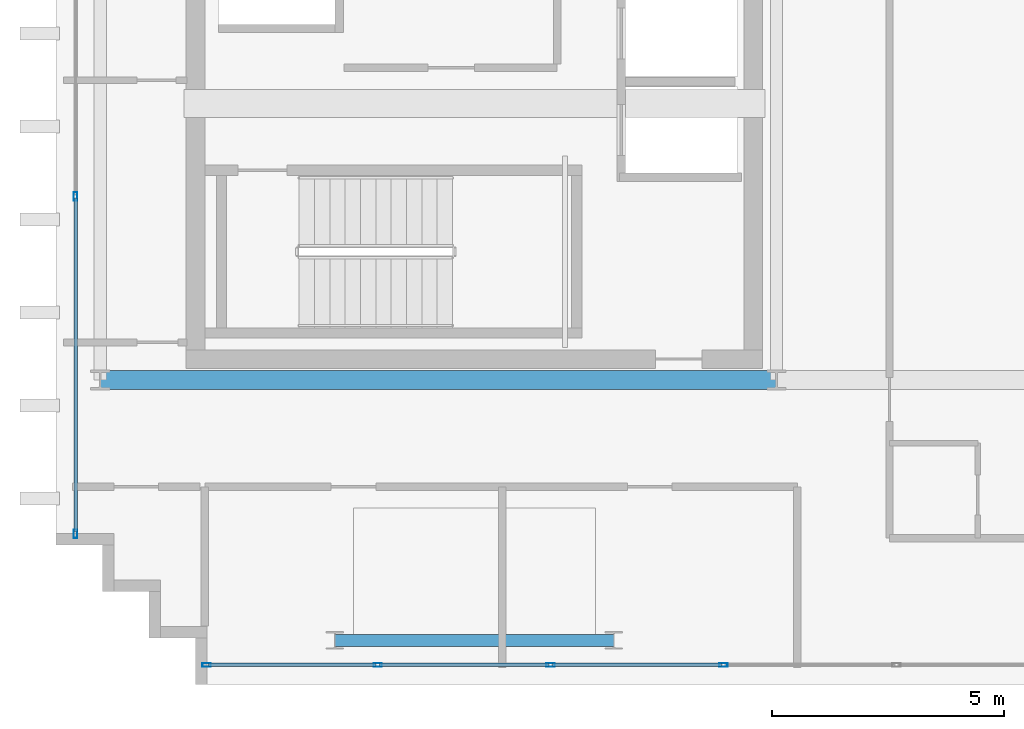
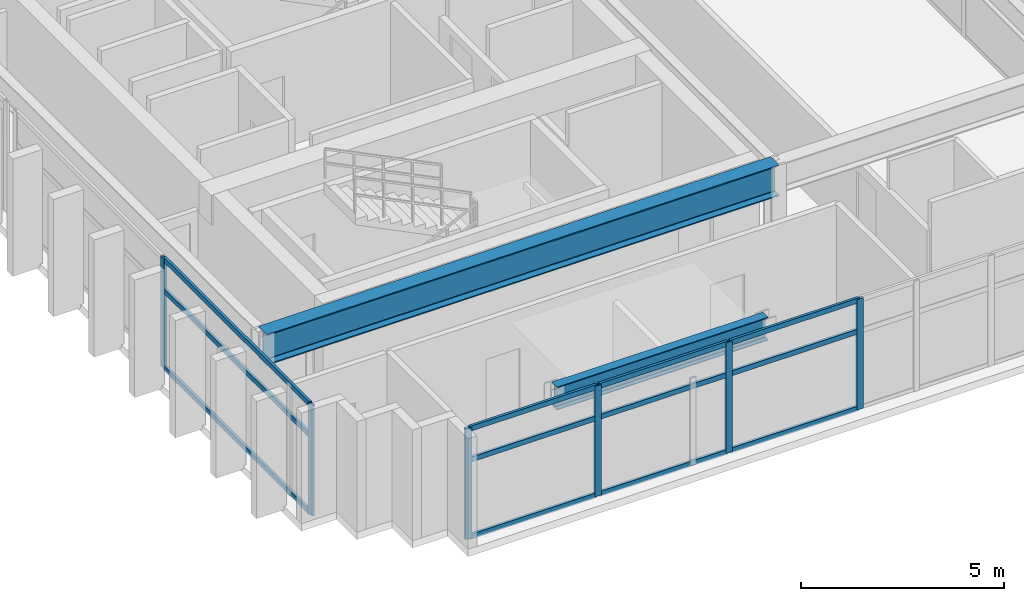
# One storey, part 2 of 15: 18 members, 2 beams, 2 elements without a shape of their own.
"""IFC4 building model written with IfcOpenShell, lengths in metres."""

import ifcopenshell
import ifcopenshell.guid

model = None  # the IFC model being written
_history = None  # IfcOwnerHistory: only IFC2X3 demands one
_inside = {}  # id of a spatial element -> (the spatial element, [elements in it])
_under = {}  # id of a project, library or spatial element -> (it, [spatial elements below it])
_declared = {}  # id of a project -> (the project, [libraries it declares])
_typed = {}  # id of a type object -> (the type object, [elements of that type])
_made_of = {}  # id of a material, layer set ... -> (it, [elements and type objects made of it])


def new_model(schema):
    """Start an empty IFC model of exactly this schema.

    Asked for "IFC4X3", IfcOpenShell would pick the latest addendum, in which some entities
    have other attributes; the version numbers below select the first issue.
    IFC2X3 requires an IfcOwnerHistory on every rooted entity: one is made here for all.
    """
    global model, _history
    if schema == "IFC4X3":
        model = ifcopenshell.file(schema_version=(4, 3, 0, 0))
    else:
        model = ifcopenshell.file(schema=schema)
    _inside.clear()
    _under.clear()
    _declared.clear()
    _typed.clear()
    _made_of.clear()
    _history = None
    if model.schema == "IFC2X3":
        org = make("IfcOrganization", Name="unknown")
        user = make(
            "IfcPersonAndOrganization",
            ThePerson=make("IfcPerson", FamilyName="unknown"),
            TheOrganization=org,
        )
        app = make(
            "IfcApplication",
            ApplicationDeveloper=org,
            Version="unknown",
            ApplicationFullName="unknown",
            ApplicationIdentifier="unknown",
        )
        _history = make(
            "IfcOwnerHistory",
            OwningUser=user,
            OwningApplication=app,
            ChangeAction="ADDED",
            CreationDate=0,
        )
    return model


def make(cls, **values):
    """One entity of the class cls with the attributes given. An attribute that is None is left unset."""
    return model.create_entity(
        cls, **{name: value for name, value in values.items() if value is not None}
    )


def rooted(cls, **values):
    """An entity with a GlobalId (a new one), such as an element, a storey or a relation."""
    return make(cls, GlobalId=ifcopenshell.guid.new(), OwnerHistory=_history, **values)


def si_unit(unit_type, name, prefix=None):
    """IfcSIUnit, for example si_unit("LENGTHUNIT", "METRE", prefix="MILLI")."""
    return make("IfcSIUnit", UnitType=unit_type, Prefix=prefix, Name=name)


def assignment(units):
    """IfcUnitAssignment: the units of a project."""
    return None if units is None else make("IfcUnitAssignment", Units=units)


def point(xyz):
    """IfcCartesianPoint."""
    return None if xyz is None else make("IfcCartesianPoint", Coordinates=xyz)


def direction(xyz):
    """IfcDirection."""
    return None if xyz is None else make("IfcDirection", DirectionRatios=xyz)


def frame(location, z_axis=None, x_axis=None):
    """IfcAxis2Placement3D, a coordinate frame: its origin and axes. An axis left out is left unset."""
    return make(
        "IfcAxis2Placement3D",
        Location=point(location),
        Axis=direction(z_axis),
        RefDirection=direction(x_axis),
    )


def frame_2d(location, x_axis=None):
    """IfcAxis2Placement2D, a coordinate frame in the plane: its origin and x axis."""
    return make(
        "IfcAxis2Placement2D", Location=point(location), RefDirection=direction(x_axis)
    )


def origin():
    """The frame at (0, 0, 0) with its axes left unset."""
    return frame((0.0, 0.0, 0.0))


def origin_2d():
    """The frame at (0, 0) in the plane with its x axis left unset."""
    return frame_2d((0.0, 0.0))


def place(relative_to, where):
    """IfcLocalPlacement: puts the frame where relative to a parent placement (None: the world)."""
    return make(
        "IfcLocalPlacement", PlacementRelTo=relative_to, RelativePlacement=where
    )


def context(
    kind, dimensions, precision=None, world=None, true_north=None, identifier=None
):
    """IfcGeometricRepresentationContext, for example the 3D "Model" context."""
    return make(
        "IfcGeometricRepresentationContext",
        ContextIdentifier=identifier,
        ContextType=kind,
        CoordinateSpaceDimension=dimensions,
        Precision=precision,
        WorldCoordinateSystem=world,
        TrueNorth=true_north,
    )


def subcontext(parent, identifier, kind, view, scale=None):
    """IfcGeometricRepresentationSubContext, for example "Body" below "Model"."""
    return make(
        "IfcGeometricRepresentationSubContext",
        ContextIdentifier=identifier,
        ContextType=kind,
        ParentContext=parent,
        TargetScale=scale,
        TargetView=view,
    )


def project(units=None, contexts=None):
    """IfcProject with its units and contexts."""
    return rooted(
        "IfcProject",
        Name="project",
        RepresentationContexts=contexts,
        UnitsInContext=assignment(units),
    )


def spatial(cls, under=None, at=None, **own):
    """A site, building, storey or space (cls), placed at a placement, below another one or the project."""
    s = rooted(cls, ObjectPlacement=at, **own)
    if under is not None:
        _under.setdefault(under.id(), (under, []))[1].append(s)
    return s


def profile(cls, at=None, kind="AREA", **sizes):
    """A parametric profile (cls). Its sizes go by their IFC names, for example OverallWidth=200.0."""
    return make(cls, ProfileType=kind, Position=at, **sizes)


def hollow_rectangle(**sizes):
    """IfcRectangleHollowProfileDef."""
    return profile("IfcRectangleHollowProfileDef", **sizes)


def i_section(**sizes):
    """IfcIShapeProfileDef."""
    return profile("IfcIShapeProfileDef", **sizes)


def extrude(swept, where, along, depth):
    """IfcExtrudedAreaSolid: the profile swept, set in the frame where, extruded along a direction by depth."""
    return make(
        "IfcExtrudedAreaSolid",
        SweptArea=swept,
        Position=where,
        ExtrudedDirection=direction(along),
        Depth=depth,
    )


def shape(context_of_items, identifier, shape_type, items):
    """IfcShapeRepresentation: the items that make up one representation, for example the "Body"."""
    return make(
        "IfcShapeRepresentation",
        ContextOfItems=context_of_items,
        RepresentationIdentifier=identifier,
        RepresentationType=shape_type,
        Items=items,
    )


def source(mapping_origin, context_of_items, identifier, shape_type, items):
    """IfcRepresentationMap: a shape defined once, which mapped items show again and again."""
    return make(
        "IfcRepresentationMap",
        MappingOrigin=mapping_origin,
        MappedRepresentation=shape(context_of_items, identifier, shape_type, items),
    )


def transform(
    local_origin,
    x_axis=None,
    y_axis=None,
    z_axis=None,
    scale=None,
    scale2=None,
    scale3=None,
    uniform=True,
):
    """IfcCartesianTransformationOperator3D, or its non-uniform kind. x_axis, y_axis, z_axis: its Axis1, 2, 3."""
    if uniform:
        return make(
            "IfcCartesianTransformationOperator3D",
            Axis1=direction(x_axis),
            Axis2=direction(y_axis),
            LocalOrigin=point(local_origin),
            Scale=scale,
            Axis3=direction(z_axis),
        )
    return make(
        "IfcCartesianTransformationOperator3DnonUniform",
        Axis1=direction(x_axis),
        Axis2=direction(y_axis),
        LocalOrigin=point(local_origin),
        Scale=scale,
        Axis3=direction(z_axis),
        Scale2=scale2,
        Scale3=scale3,
    )


def mapped(mapping_source, mapping_target):
    """IfcMappedItem: shows the shape of a source again, moved by a transform."""
    return make(
        "IfcMappedItem", MappingSource=mapping_source, MappingTarget=mapping_target
    )


def material(Name=None, Category=None):
    """IfcMaterial."""
    return make("IfcMaterial", Name=Name, Category=Category)


def layer(
    of_material, thickness, ventilated=None, Name=None, Category=None, Priority=None
):
    """IfcMaterialLayer: one layer of a wall or slab, of a material (None: an air gap)."""
    return make(
        "IfcMaterialLayer",
        Material=of_material,
        LayerThickness=thickness,
        IsVentilated=ventilated,
        Name=Name,
        Category=Category,
        Priority=Priority,
    )


def layer_set(layers, Name=None):
    """IfcMaterialLayerSet."""
    return make("IfcMaterialLayerSet", MaterialLayers=layers, LayerSetName=Name)


def material_profile(
    of_material, cross_section, Name=None, Category=None, Priority=None
):
    """IfcMaterialProfile: a cross section and its material."""
    return make(
        "IfcMaterialProfile",
        Name=Name,
        Material=of_material,
        Profile=cross_section,
        Priority=Priority,
        Category=Category,
    )


def profile_set(profiles, Name=None, composite=None):
    """IfcMaterialProfileSet."""
    return make(
        "IfcMaterialProfileSet",
        Name=Name,
        MaterialProfiles=profiles,
        CompositeProfile=composite,
    )


def made_of(thing, what):
    """Note that an element or type object is made of a material, layer set ...; save() writes the relation."""
    if what is not None:
        _made_of.setdefault(what.id(), (what, []))[1].append(thing)
    return thing


def type_object(cls, material=None, **own):
    """A type object (cls), such as IfcWallType, which elements share."""
    return made_of(rooted(cls, **own), material)


def element(
    cls,
    number,
    at=None,
    inside=None,
    cuts=None,
    type_object=None,
    material=None,
    context=None,
    identifier="Body",
    shape_type=None,
    held_by="IfcProductDefinitionShape",
    body=None,
    shapes=None,
    **own,
):
    """One element of the class cls, such as IfcWall. Its Tag is "e" and its number.

    at: its placement. inside: the storey or other place that contains it. cuts: it is an
    opening in that element (IfcRelVoidsElement). A single representation is given by context,
    identifier, shape_type and body (its items); several are given by shapes. held_by: the class
    of the entity that holds the representations. save() writes the other relations.
    """
    e = rooted(cls, Tag="e%d" % number, ObjectPlacement=at, **own)
    if body is not None:
        shapes = [shape(context, identifier, shape_type, body)]
    if shapes is not None:
        e.Representation = make(held_by, Representations=shapes)
    if inside is not None:
        _inside.setdefault(inside.id(), (inside, []))[1].append(e)
    if cuts is not None:
        rooted(
            "IfcRelVoidsElement", RelatingBuildingElement=cuts, RelatedOpeningElement=e
        )
    if type_object is not None:
        _typed.setdefault(type_object.id(), (type_object, []))[1].append(e)
    return made_of(e, material)


def aggregate(whole, parts):
    """IfcRelAggregates: a whole, such as a stair, and the parts it consists of."""
    return rooted("IfcRelAggregates", RelatingObject=whole, RelatedObjects=parts)


def save(model, path):
    """Write the relations noted so far, then the file.

    IfcRelAggregates (storeys below a building ...), IfcRelContainedInSpatialStructure (elements
    in a storey), IfcRelDefinesByType, IfcRelAssociatesMaterial and IfcRelDeclares: one each for
    every whole, place, type object, material and project.
    """
    for whole, parts in _under.values():
        aggregate(whole, parts)
    for where, things in _inside.values():
        rooted(
            "IfcRelContainedInSpatialStructure",
            RelatedElements=things,
            RelatingStructure=where,
        )
    for kind, things in _typed.values():
        rooted("IfcRelDefinesByType", RelatedObjects=things, RelatingType=kind)
    for what, things in _made_of.values():
        rooted("IfcRelAssociatesMaterial", RelatedObjects=things, RelatingMaterial=what)
    for by, libraries in _declared.values():
        rooted("IfcRelDeclares", RelatingContext=by, RelatedDefinitions=libraries)
    model.write(path)


model = new_model("IFC4")

# Units and contexts
model_context = context("Model", 3, precision=1e-05, world=origin(), true_north=direction((0.0, 1.0)))
body_context = subcontext(model_context, "Body", "Model", "MODEL_VIEW")
ifc_project = project(units=[si_unit("LENGTHUNIT", "METRE"), si_unit("AREAUNIT", "SQUARE_METRE"), si_unit("VOLUMEUNIT", "CUBIC_METRE"), si_unit("PLANEANGLEUNIT", "RADIAN"), si_unit("MASSUNIT", "GRAM", prefix="KILO")], contexts=[model_context])

# Site, building, storey
site_placement = place(None, origin())
site = spatial("IfcSite", under=ifc_project, at=site_placement, CompositionType="ELEMENT")
building_placement = place(site_placement, origin())
building = spatial("IfcBuilding", under=site, at=building_placement, Name="Ocotamira Hotel", CompositionType="ELEMENT")
storey_placement = place(building_placement, frame((0.0, 0.0, 297.60009765625)))
storey = spatial("IfcBuildingStorey", under=building, at=storey_placement, Name="L76", CompositionType="ELEMENT", Elevation=297.60009765625)

# Beams
ifc_material_1 = material(Name="Steel ASTM A992 Grade 50", Category="steel")
ifc_material_profile_1 = material_profile(ifc_material_1, i_section(OverallWidth=0.41796875, OverallDepth=0.927001953125, WebThickness=0.019287109375, FlangeThickness=0.031982421875, FilletRadius=0.02392578125, at=origin_2d()), Name="W36X231")
ifc_profile_set_1 = profile_set([ifc_material_profile_1], Name="Steel ASTM A992 Grade 50")
beam_type_1 = type_object("IfcBeamType", Name="BM-GIRD-W36X231", PredefinedType="BEAM", material=ifc_profile_set_1)
shared_shape_1 = source(origin(), body_context, "Body", "SweptSolid", [
    extrude(i_section(OverallWidth=0.41796875, OverallDepth=0.927001953125, WebThickness=0.019287109375, FlangeThickness=0.031982421875, FilletRadius=0.02392578125, at=origin_2d()), origin(), (0.0, 0.0, 1.0), 14.550048828125),
])
beam_1_placement = place(storey_placement, frame((8.949951171875, 14.550048828125, 2.8564453125), z_axis=(1.0, 0.0, 0.0), x_axis=(0.0, 1.0, 0.0)))
element("IfcBeam", 1, at=beam_1_placement, inside=storey, type_object=beam_type_1, Name="L76 Girder Y14.55 X8.95-23.5", PredefinedType="BEAM", context=body_context, shape_type="MappedRepresentation", body=[
    mapped(shared_shape_1, transform((0.0, 0.0, 0.0), scale=1.0)),
])
ifc_material_profile_2 = material_profile(ifc_material_1, i_section(OverallWidth=0.256103515625, OverallDepth=0.693115234375, WebThickness=0.014404296875, FlangeThickness=0.023681640625, FilletRadius=0.01611328125, at=origin_2d()), Name="W27X114")
ifc_profile_set_2 = profile_set([ifc_material_profile_2], Name="Steel ASTM A992 Grade 50")
beam_type_2 = type_object("IfcBeamType", Name="BM-PRIM-W27X114", PredefinedType="BEAM", material=ifc_profile_set_2)
shared_shape_2 = source(origin(), body_context, "Body", "SweptSolid", [
    extrude(i_section(OverallWidth=0.256103515625, OverallDepth=0.693115234375, WebThickness=0.014404296875, FlangeThickness=0.023681640625, FilletRadius=0.01611328125, at=origin_2d()), origin(), (0.0, 0.0, 1.0), 6.0),
])
beam_2_placement = place(storey_placement, frame((14.0, 8.949951171875, 2.973388671875), z_axis=(1.0, 0.0, 0.0), x_axis=(0.0, 1.0, 0.0)))
element("IfcBeam", 2, at=beam_2_placement, inside=storey, type_object=beam_type_2, Name="L76 Girder Y8.95 X14-20", PredefinedType="BEAM", context=body_context, shape_type="MappedRepresentation", body=[
    mapped(shared_shape_2, transform((0.0, 0.0, 0.0), scale=1.0)),
])

# Curtain wall, members
ifc_material_2 = material(Name="Anodised pale-metal aluminium and solar glass", Category="aluminium")
ifc_layer = layer(ifc_material_2, 0.2099609375)
ifc_layer_set = layer_set([ifc_layer], Name="Anodised pale-metal aluminium and solar glass")
curtain_wall_type = type_object("IfcCurtainWallType", Name="CW-SYS7-PEAK", PredefinedType="NOTDEFINED", material=ifc_layer_set)
curtain_wall_1_placement = place(storey_placement, origin())
curtain_wall_1 = element("IfcCurtainWall", 3, at=curtain_wall_1_placement, inside=storey, type_object=curtain_wall_type, Name="L76 Curtain Wall CW-7 CW-L76-W1", PredefinedType="NOTDEFINED")
ifc_material_3 = material(Name="Anodised pale-metal aluminium 6063-T6", Category="aluminium")
ifc_material_profile_3 = material_profile(ifc_material_3, hollow_rectangle(XDim=0.074951171875, YDim=0.14990234375, WallThickness=0.006103515625, at=origin_2d()), Name="HSS150X75X6")
ifc_profile_set_3 = profile_set([ifc_material_profile_3], Name="Anodised pale-metal aluminium 6063-T6")
member_type_1 = type_object("IfcMemberType", Name="CWT-150X75", PredefinedType="USERDEFINED", material=ifc_profile_set_3)
shared_shape_3 = source(origin(), body_context, "Body", "SweptSolid", [
    extrude(hollow_rectangle(XDim=0.074951171875, YDim=0.14990234375, WallThickness=0.006103515625, at=origin_2d()), origin(), (0.0, 0.0, 1.0), 7.179931640625),
])
member_1_placement = place(storey_placement, frame((8.419921875, 11.280029296875, 0.037353515625), z_axis=(0.0, 1.0, 0.0), x_axis=(-1.0, 0.0, 0.0)))
member_1 = element("IfcMember", 4, at=member_1_placement, type_object=member_type_1, Name="CW-7 transom 1.1", ObjectType="TRANSOM", PredefinedType="USERDEFINED", context=body_context, shape_type="MappedRepresentation", body=[
    mapped(shared_shape_3, transform((0.0, 0.0, 0.0), scale=1.0)),
])
member_2_placement = place(storey_placement, frame((8.419921875, 11.280029296875, 2.349853515625), z_axis=(0.0, 1.0, 0.0), x_axis=(-1.0, 0.0, 0.0)))
member_2 = element("IfcMember", 5, at=member_2_placement, type_object=member_type_1, Name="CW-7 transom 1.2", ObjectType="TRANSOM", PredefinedType="USERDEFINED", context=body_context, shape_type="MappedRepresentation", body=[
    mapped(shared_shape_3, transform((0.0, 0.0, 0.0), scale=1.0)),
])
member_3_placement = place(storey_placement, frame((8.419921875, 11.280029296875, 3.282470703125), z_axis=(0.0, 1.0, 0.0), x_axis=(-1.0, 0.0, 0.0)))
member_3 = element("IfcMember", 6, at=member_3_placement, type_object=member_type_1, Name="CW-7 transom 1.3", ObjectType="TRANSOM", PredefinedType="USERDEFINED", context=body_context, shape_type="MappedRepresentation", body=[
    mapped(shared_shape_3, transform((0.0, 0.0, 0.0), scale=1.0)),
])

curtain_wall_2_placement = place(storey_placement, origin())
curtain_wall_2 = element("IfcCurtainWall", 7, at=curtain_wall_2_placement, inside=storey, type_object=curtain_wall_type, Name="L76 Curtain Wall CW-7 CW-L76-S1", PredefinedType="NOTDEFINED")
shared_shape_4 = source(origin(), body_context, "Body", "SweptSolid", [
    extrude(hollow_rectangle(XDim=0.074951171875, YDim=0.14990234375, WallThickness=0.006103515625, at=origin_2d()), origin(), (0.0, 0.0, 1.0), 3.599853515625),
])
member_4_placement = place(storey_placement, frame((11.280029296875, 8.419921875, 0.037353515625), z_axis=(1.0, 0.0, 0.0), x_axis=(0.0, 1.0, 0.0)))
member_4 = element("IfcMember", 8, at=member_4_placement, type_object=member_type_1, Name="CW-7 transom 1.1", ObjectType="TRANSOM", PredefinedType="USERDEFINED", context=body_context, shape_type="MappedRepresentation", body=[
    mapped(shared_shape_4, transform((0.0, 0.0, 0.0), scale=1.0)),
])
member_5_placement = place(storey_placement, frame((11.280029296875, 8.419921875, 2.349853515625), z_axis=(1.0, 0.0, 0.0), x_axis=(0.0, 1.0, 0.0)))
member_5 = element("IfcMember", 9, at=member_5_placement, type_object=member_type_1, Name="CW-7 transom 1.2", ObjectType="TRANSOM", PredefinedType="USERDEFINED", context=body_context, shape_type="MappedRepresentation", body=[
    mapped(shared_shape_4, transform((0.0, 0.0, 0.0), scale=1.0)),
])
member_6_placement = place(storey_placement, frame((11.280029296875, 8.419921875, 3.282470703125), z_axis=(1.0, 0.0, 0.0), x_axis=(0.0, 1.0, 0.0)))
member_6 = element("IfcMember", 10, at=member_6_placement, type_object=member_type_1, Name="CW-7 transom 1.3", ObjectType="TRANSOM", PredefinedType="USERDEFINED", context=body_context, shape_type="MappedRepresentation", body=[
    mapped(shared_shape_4, transform((0.0, 0.0, 0.0), scale=1.0)),
])
shared_shape_5 = source(origin(), body_context, "Body", "SweptSolid", [
    extrude(hollow_rectangle(XDim=0.074951171875, YDim=0.14990234375, WallThickness=0.006103515625, at=origin_2d()), origin(), (0.0, 0.0, 1.0), 3.64013671875),
])
member_7_placement = place(storey_placement, frame((14.9599609375, 8.419921875, 0.037353515625), z_axis=(1.0, 0.0, 0.0), x_axis=(0.0, 1.0, 0.0)))
member_7 = element("IfcMember", 11, at=member_7_placement, type_object=member_type_1, Name="CW-7 transom 2.1", ObjectType="TRANSOM", PredefinedType="USERDEFINED", context=body_context, shape_type="MappedRepresentation", body=[
    mapped(shared_shape_5, transform((0.0, 0.0, 0.0), scale=1.0)),
])
member_8_placement = place(storey_placement, frame((14.9599609375, 8.419921875, 2.349853515625), z_axis=(1.0, 0.0, 0.0), x_axis=(0.0, 1.0, 0.0)))
member_8 = element("IfcMember", 12, at=member_8_placement, type_object=member_type_1, Name="CW-7 transom 2.2", ObjectType="TRANSOM", PredefinedType="USERDEFINED", context=body_context, shape_type="MappedRepresentation", body=[
    mapped(shared_shape_5, transform((0.0, 0.0, 0.0), scale=1.0)),
])
member_9_placement = place(storey_placement, frame((14.9599609375, 8.419921875, 3.282470703125), z_axis=(1.0, 0.0, 0.0), x_axis=(0.0, 1.0, 0.0)))
member_9 = element("IfcMember", 13, at=member_9_placement, type_object=member_type_1, Name="CW-7 transom 2.3", ObjectType="TRANSOM", PredefinedType="USERDEFINED", context=body_context, shape_type="MappedRepresentation", body=[
    mapped(shared_shape_5, transform((0.0, 0.0, 0.0), scale=1.0)),
])
member_10_placement = place(storey_placement, frame((18.679931640625, 8.419921875, 0.037353515625), z_axis=(1.0, 0.0, 0.0), x_axis=(0.0, 1.0, 0.0)))
member_10 = element("IfcMember", 14, at=member_10_placement, type_object=member_type_1, Name="CW-7 transom 3.1", ObjectType="TRANSOM", PredefinedType="USERDEFINED", context=body_context, shape_type="MappedRepresentation", body=[
    mapped(shared_shape_5, transform((0.0, 0.0, 0.0), scale=1.0)),
])
member_11_placement = place(storey_placement, frame((18.679931640625, 8.419921875, 2.349853515625), z_axis=(1.0, 0.0, 0.0), x_axis=(0.0, 1.0, 0.0)))
member_11 = element("IfcMember", 15, at=member_11_placement, type_object=member_type_1, Name="CW-7 transom 3.2", ObjectType="TRANSOM", PredefinedType="USERDEFINED", context=body_context, shape_type="MappedRepresentation", body=[
    mapped(shared_shape_5, transform((0.0, 0.0, 0.0), scale=1.0)),
])
member_12_placement = place(storey_placement, frame((18.679931640625, 8.419921875, 3.282470703125), z_axis=(1.0, 0.0, 0.0), x_axis=(0.0, 1.0, 0.0)))
member_12 = element("IfcMember", 16, at=member_12_placement, type_object=member_type_1, Name="CW-7 transom 3.3", ObjectType="TRANSOM", PredefinedType="USERDEFINED", context=body_context, shape_type="MappedRepresentation", body=[
    mapped(shared_shape_5, transform((0.0, 0.0, 0.0), scale=1.0)),
])
ifc_material_profile_4 = material_profile(ifc_material_3, hollow_rectangle(XDim=0.080078125, YDim=0.179931640625, WallThickness=0.006103515625, at=origin_2d()), Name="HSS180X80X6")
ifc_profile_set_4 = profile_set([ifc_material_profile_4], Name="Anodised pale-metal aluminium 6063-T6")
member_type_2 = type_object("IfcMemberType", Name="CWM-180X75", PredefinedType="MULLION", material=ifc_profile_set_4)
shared_shape_6 = source(origin(), body_context, "Body", "SweptSolid", [
    extrude(hollow_rectangle(XDim=0.080078125, YDim=0.179931640625, WallThickness=0.006103515625, at=origin_2d()), origin(), (0.0, 0.0, 1.0), 3.31982421875),
])
member_13_placement = place(storey_placement, frame((11.239990234375, 8.419921875, 0.0), z_axis=(0.0, 0.0, 1.0), x_axis=(0.0, 1.0, 0.0)))
member_13 = element("IfcMember", 17, at=member_13_placement, type_object=member_type_2, Name="CW-7 mullion 1", PredefinedType="MULLION", context=body_context, shape_type="MappedRepresentation", body=[
    mapped(shared_shape_6, transform((0.0, 0.0, 0.0), scale=1.0)),
])
member_14_placement = place(storey_placement, frame((14.919921875, 8.419921875, 0.0), z_axis=(0.0, 0.0, 1.0), x_axis=(0.0, 1.0, 0.0)))
member_14 = element("IfcMember", 18, at=member_14_placement, type_object=member_type_2, Name="CW-7 mullion 2", PredefinedType="MULLION", context=body_context, shape_type="MappedRepresentation", body=[
    mapped(shared_shape_6, transform((0.0, 0.0, 0.0), scale=1.0)),
])
member_15_placement = place(storey_placement, frame((18.639892578125, 8.419921875, 0.0), z_axis=(0.0, 0.0, 1.0), x_axis=(0.0, 1.0, 0.0)))
member_15 = element("IfcMember", 19, at=member_15_placement, type_object=member_type_2, Name="CW-7 mullion 3", PredefinedType="MULLION", context=body_context, shape_type="MappedRepresentation", body=[
    mapped(shared_shape_6, transform((0.0, 0.0, 0.0), scale=1.0)),
])
member_16_placement = place(storey_placement, frame((22.360107421875, 8.419921875, 0.0), z_axis=(0.0, 0.0, 1.0), x_axis=(0.0, 1.0, 0.0)))
member_16 = element("IfcMember", 20, at=member_16_placement, type_object=member_type_2, Name="CW-7 mullion 4", PredefinedType="MULLION", context=body_context, shape_type="MappedRepresentation", body=[
    mapped(shared_shape_6, transform((0.0, 0.0, 0.0), scale=1.0)),
])
aggregate(curtain_wall_2, [member_13, member_14, member_15, member_16, member_4, member_5, member_6, member_7, member_8, member_9, member_10, member_11, member_12])

# Member
member_17_placement = place(storey_placement, frame((8.419921875, 11.239990234375, 0.0), z_axis=(0.0, 0.0, 1.0), x_axis=(-1.0, 0.0, 0.0)))
member_17 = element("IfcMember", 21, at=member_17_placement, type_object=member_type_2, Name="CW-7 mullion 1", PredefinedType="MULLION", context=body_context, shape_type="MappedRepresentation", body=[
    mapped(shared_shape_6, transform((0.0, 0.0, 0.0), scale=1.0)),
])

member_18_placement = place(storey_placement, frame((8.419921875, 18.5, 0.0), z_axis=(0.0, 0.0, 1.0), x_axis=(-1.0, 0.0, 0.0)))
member_18 = element("IfcMember", 22, at=member_18_placement, type_object=member_type_2, Name="CW-7 mullion 2", PredefinedType="MULLION", context=body_context, shape_type="MappedRepresentation", body=[
    mapped(shared_shape_6, transform((0.0, 0.0, 0.0), scale=1.0)),
])

aggregate(curtain_wall_1, [member_17, member_18, member_1, member_2, member_3])

save(model, "model.ifc")
